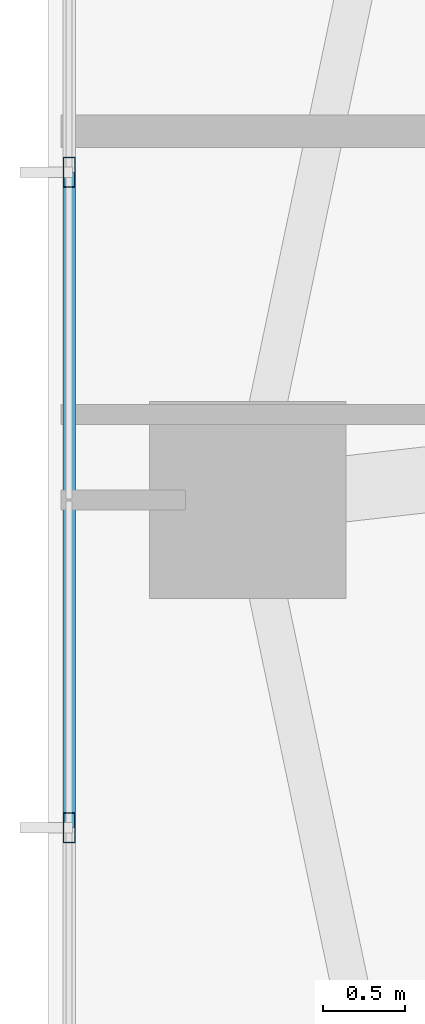
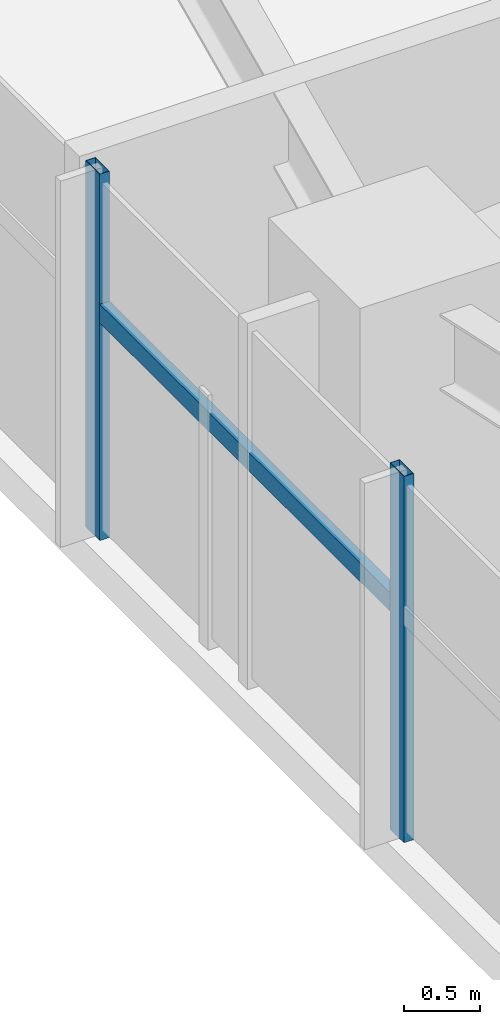
# One storey, part 4 of 25: 3 members, 1 element without a shape of its own.
"""IFC4 building model written with IfcOpenShell, lengths in metres."""

import ifcopenshell
import ifcopenshell.guid

model = None  # the IFC model being written
_history = None  # IfcOwnerHistory: only IFC2X3 demands one
_inside = {}  # id of a spatial element -> (the spatial element, [elements in it])
_under = {}  # id of a project, library or spatial element -> (it, [spatial elements below it])
_declared = {}  # id of a project -> (the project, [libraries it declares])
_typed = {}  # id of a type object -> (the type object, [elements of that type])
_made_of = {}  # id of a material, layer set ... -> (it, [elements and type objects made of it])


def new_model(schema):
    """Start an empty IFC model of exactly this schema.

    Asked for "IFC4X3", IfcOpenShell would pick the latest addendum, in which some entities
    have other attributes; the version numbers below select the first issue.
    IFC2X3 requires an IfcOwnerHistory on every rooted entity: one is made here for all.
    """
    global model, _history
    if schema == "IFC4X3":
        model = ifcopenshell.file(schema_version=(4, 3, 0, 0))
    else:
        model = ifcopenshell.file(schema=schema)
    _inside.clear()
    _under.clear()
    _declared.clear()
    _typed.clear()
    _made_of.clear()
    _history = None
    if model.schema == "IFC2X3":
        org = make("IfcOrganization", Name="unknown")
        user = make(
            "IfcPersonAndOrganization",
            ThePerson=make("IfcPerson", FamilyName="unknown"),
            TheOrganization=org,
        )
        app = make(
            "IfcApplication",
            ApplicationDeveloper=org,
            Version="unknown",
            ApplicationFullName="unknown",
            ApplicationIdentifier="unknown",
        )
        _history = make(
            "IfcOwnerHistory",
            OwningUser=user,
            OwningApplication=app,
            ChangeAction="ADDED",
            CreationDate=0,
        )
    return model


def make(cls, **values):
    """One entity of the class cls with the attributes given. An attribute that is None is left unset."""
    return model.create_entity(
        cls, **{name: value for name, value in values.items() if value is not None}
    )


def rooted(cls, **values):
    """An entity with a GlobalId (a new one), such as an element, a storey or a relation."""
    return make(cls, GlobalId=ifcopenshell.guid.new(), OwnerHistory=_history, **values)


def si_unit(unit_type, name, prefix=None):
    """IfcSIUnit, for example si_unit("LENGTHUNIT", "METRE", prefix="MILLI")."""
    return make("IfcSIUnit", UnitType=unit_type, Prefix=prefix, Name=name)


def assignment(units):
    """IfcUnitAssignment: the units of a project."""
    return None if units is None else make("IfcUnitAssignment", Units=units)


def point(xyz):
    """IfcCartesianPoint."""
    return None if xyz is None else make("IfcCartesianPoint", Coordinates=xyz)


def direction(xyz):
    """IfcDirection."""
    return None if xyz is None else make("IfcDirection", DirectionRatios=xyz)


def frame(location, z_axis=None, x_axis=None):
    """IfcAxis2Placement3D, a coordinate frame: its origin and axes. An axis left out is left unset."""
    return make(
        "IfcAxis2Placement3D",
        Location=point(location),
        Axis=direction(z_axis),
        RefDirection=direction(x_axis),
    )


def frame_2d(location, x_axis=None):
    """IfcAxis2Placement2D, a coordinate frame in the plane: its origin and x axis."""
    return make(
        "IfcAxis2Placement2D", Location=point(location), RefDirection=direction(x_axis)
    )


def origin():
    """The frame at (0, 0, 0) with its axes left unset."""
    return frame((0.0, 0.0, 0.0))


def origin_2d():
    """The frame at (0, 0) in the plane with its x axis left unset."""
    return frame_2d((0.0, 0.0))


def place(relative_to, where):
    """IfcLocalPlacement: puts the frame where relative to a parent placement (None: the world)."""
    return make(
        "IfcLocalPlacement", PlacementRelTo=relative_to, RelativePlacement=where
    )


def context(
    kind, dimensions, precision=None, world=None, true_north=None, identifier=None
):
    """IfcGeometricRepresentationContext, for example the 3D "Model" context."""
    return make(
        "IfcGeometricRepresentationContext",
        ContextIdentifier=identifier,
        ContextType=kind,
        CoordinateSpaceDimension=dimensions,
        Precision=precision,
        WorldCoordinateSystem=world,
        TrueNorth=true_north,
    )


def subcontext(parent, identifier, kind, view, scale=None):
    """IfcGeometricRepresentationSubContext, for example "Body" below "Model"."""
    return make(
        "IfcGeometricRepresentationSubContext",
        ContextIdentifier=identifier,
        ContextType=kind,
        ParentContext=parent,
        TargetScale=scale,
        TargetView=view,
    )


def project(units=None, contexts=None):
    """IfcProject with its units and contexts."""
    return rooted(
        "IfcProject",
        Name="project",
        RepresentationContexts=contexts,
        UnitsInContext=assignment(units),
    )


def spatial(cls, under=None, at=None, **own):
    """A site, building, storey or space (cls), placed at a placement, below another one or the project."""
    s = rooted(cls, ObjectPlacement=at, **own)
    if under is not None:
        _under.setdefault(under.id(), (under, []))[1].append(s)
    return s


def profile(cls, at=None, kind="AREA", **sizes):
    """A parametric profile (cls). Its sizes go by their IFC names, for example OverallWidth=200.0."""
    return make(cls, ProfileType=kind, Position=at, **sizes)


def hollow_rectangle(**sizes):
    """IfcRectangleHollowProfileDef."""
    return profile("IfcRectangleHollowProfileDef", **sizes)


def extrude(swept, where, along, depth):
    """IfcExtrudedAreaSolid: the profile swept, set in the frame where, extruded along a direction by depth."""
    return make(
        "IfcExtrudedAreaSolid",
        SweptArea=swept,
        Position=where,
        ExtrudedDirection=direction(along),
        Depth=depth,
    )


def shape(context_of_items, identifier, shape_type, items):
    """IfcShapeRepresentation: the items that make up one representation, for example the "Body"."""
    return make(
        "IfcShapeRepresentation",
        ContextOfItems=context_of_items,
        RepresentationIdentifier=identifier,
        RepresentationType=shape_type,
        Items=items,
    )


def source(mapping_origin, context_of_items, identifier, shape_type, items):
    """IfcRepresentationMap: a shape defined once, which mapped items show again and again."""
    return make(
        "IfcRepresentationMap",
        MappingOrigin=mapping_origin,
        MappedRepresentation=shape(context_of_items, identifier, shape_type, items),
    )


def transform(
    local_origin,
    x_axis=None,
    y_axis=None,
    z_axis=None,
    scale=None,
    scale2=None,
    scale3=None,
    uniform=True,
):
    """IfcCartesianTransformationOperator3D, or its non-uniform kind. x_axis, y_axis, z_axis: its Axis1, 2, 3."""
    if uniform:
        return make(
            "IfcCartesianTransformationOperator3D",
            Axis1=direction(x_axis),
            Axis2=direction(y_axis),
            LocalOrigin=point(local_origin),
            Scale=scale,
            Axis3=direction(z_axis),
        )
    return make(
        "IfcCartesianTransformationOperator3DnonUniform",
        Axis1=direction(x_axis),
        Axis2=direction(y_axis),
        LocalOrigin=point(local_origin),
        Scale=scale,
        Axis3=direction(z_axis),
        Scale2=scale2,
        Scale3=scale3,
    )


def mapped(mapping_source, mapping_target):
    """IfcMappedItem: shows the shape of a source again, moved by a transform."""
    return make(
        "IfcMappedItem", MappingSource=mapping_source, MappingTarget=mapping_target
    )


def material(Name=None, Category=None):
    """IfcMaterial."""
    return make("IfcMaterial", Name=Name, Category=Category)


def material_profile(
    of_material, cross_section, Name=None, Category=None, Priority=None
):
    """IfcMaterialProfile: a cross section and its material."""
    return make(
        "IfcMaterialProfile",
        Name=Name,
        Material=of_material,
        Profile=cross_section,
        Priority=Priority,
        Category=Category,
    )


def profile_set(profiles, Name=None, composite=None):
    """IfcMaterialProfileSet."""
    return make(
        "IfcMaterialProfileSet",
        Name=Name,
        MaterialProfiles=profiles,
        CompositeProfile=composite,
    )


def made_of(thing, what):
    """Note that an element or type object is made of a material, layer set ...; save() writes the relation."""
    if what is not None:
        _made_of.setdefault(what.id(), (what, []))[1].append(thing)
    return thing


def type_object(cls, material=None, **own):
    """A type object (cls), such as IfcWallType, which elements share."""
    return made_of(rooted(cls, **own), material)


def type_shapes(of_type, sources):
    """Give a type object the sources (RepresentationMaps) that its elements show as mapped items."""
    of_type.RepresentationMaps = sources


def element(
    cls,
    number,
    at=None,
    inside=None,
    cuts=None,
    type_object=None,
    material=None,
    context=None,
    identifier="Body",
    shape_type=None,
    held_by="IfcProductDefinitionShape",
    body=None,
    shapes=None,
    **own,
):
    """One element of the class cls, such as IfcWall. Its Tag is "e" and its number.

    at: its placement. inside: the storey or other place that contains it. cuts: it is an
    opening in that element (IfcRelVoidsElement). A single representation is given by context,
    identifier, shape_type and body (its items); several are given by shapes. held_by: the class
    of the entity that holds the representations. save() writes the other relations.
    """
    e = rooted(cls, Tag="e%d" % number, ObjectPlacement=at, **own)
    if body is not None:
        shapes = [shape(context, identifier, shape_type, body)]
    if shapes is not None:
        e.Representation = make(held_by, Representations=shapes)
    if inside is not None:
        _inside.setdefault(inside.id(), (inside, []))[1].append(e)
    if cuts is not None:
        rooted(
            "IfcRelVoidsElement", RelatingBuildingElement=cuts, RelatedOpeningElement=e
        )
    if type_object is not None:
        _typed.setdefault(type_object.id(), (type_object, []))[1].append(e)
    return made_of(e, material)


def aggregate(whole, parts):
    """IfcRelAggregates: a whole, such as a stair, and the parts it consists of."""
    return rooted("IfcRelAggregates", RelatingObject=whole, RelatedObjects=parts)


def save(model, path):
    """Write the relations noted so far, then the file.

    IfcRelAggregates (storeys below a building ...), IfcRelContainedInSpatialStructure (elements
    in a storey), IfcRelDefinesByType, IfcRelAssociatesMaterial and IfcRelDeclares: one each for
    every whole, place, type object, material and project.
    """
    for whole, parts in _under.values():
        aggregate(whole, parts)
    for where, things in _inside.values():
        rooted(
            "IfcRelContainedInSpatialStructure",
            RelatedElements=things,
            RelatingStructure=where,
        )
    for kind, things in _typed.values():
        rooted("IfcRelDefinesByType", RelatedObjects=things, RelatingType=kind)
    for what, things in _made_of.values():
        rooted("IfcRelAssociatesMaterial", RelatedObjects=things, RelatingMaterial=what)
    for by, libraries in _declared.values():
        rooted("IfcRelDeclares", RelatingContext=by, RelatedDefinitions=libraries)
    model.write(path)


model = new_model("IFC4")

# Units and contexts
model_context = context("Model", 3, precision=1e-05, world=origin(), true_north=direction((0.0, 1.0)))
body_context = subcontext(model_context, "Body", "Model", "MODEL_VIEW")
ifc_project = project(units=[si_unit("LENGTHUNIT", "METRE"), si_unit("AREAUNIT", "SQUARE_METRE"), si_unit("VOLUMEUNIT", "CUBIC_METRE"), si_unit("PLANEANGLEUNIT", "RADIAN"), si_unit("MASSUNIT", "GRAM", prefix="KILO")], contexts=[model_context])

# Site, building, storey
site_placement = place(None, origin())
site = spatial("IfcSite", under=ifc_project, at=site_placement, CompositionType="ELEMENT")
building_placement = place(site_placement, origin())
building = spatial("IfcBuilding", under=site, at=building_placement, Name="Astriad Promenade Condominiums", CompositionType="ELEMENT")
storey_placement = place(building_placement, frame((0.0, 0.0, 39.0)))
storey = spatial("IfcBuildingStorey", under=building, at=storey_placement, Name="L10", CompositionType="ELEMENT", Elevation=39.0)

# Curtain wall, members
ifc_material_1 = material(Name="Anodised aluminium Black Dark Glass Unitised", Category="aluminium")
curtain_wall_type = type_object("IfcCurtainWallType", Name="CW-B1-DARK", PredefinedType="USERDEFINED", material=ifc_material_1)
curtain_wall_placement = place(storey_placement, origin())
curtain_wall = element("IfcCurtainWall", 1, at=curtain_wall_placement, inside=storey, type_object=curtain_wall_type, Name="CW-L10-W", ObjectType="UNITISED_CURTAIN_WALL", PredefinedType="USERDEFINED")
ifc_material_2 = material(Name="Anodised aluminium 6063-T6 Black", Category="aluminium")
ifc_material_profile_1 = material_profile(ifc_material_2, hollow_rectangle(XDim=0.074951171875, YDim=0.18505859375, WallThickness=0.00439453125, at=origin_2d()), Name="ALU-MUL-75X185")
ifc_profile_set_1 = profile_set([ifc_material_profile_1], Name="Anodised aluminium 6063-T6 Black")
member_type_1 = type_object("IfcMemberType", Name="MUL-ALU-MUL-75X185", PredefinedType="MULLION", material=ifc_profile_set_1)
shared_shape_1 = source(origin(), body_context, "Body", "SweptSolid", [
    extrude(hollow_rectangle(XDim=0.074951171875, YDim=0.18505859375, WallThickness=0.00439453125, at=origin_2d()), origin(), (0.0, 0.0, 1.0), 2.93994140625),
])
type_shapes(member_type_1, [shared_shape_1])
member_1_placement = place(storey_placement, frame((5.929931640625, 13.199951171875, 0.0), z_axis=(0.0, 0.0, 1.0), x_axis=(1.0, 0.0, 0.0)))
member_1 = element("IfcMember", 2, at=member_1_placement, type_object=member_type_1, Name="CW-L10-W-MUL-02", PredefinedType="MULLION", context=body_context, shape_type="MappedRepresentation", body=[
    mapped(shared_shape_1, transform((0.0, 0.0, 0.0), scale=1.0)),
])
member_2_placement = place(storey_placement, frame((5.929931640625, 17.199951171875, 0.0), z_axis=(0.0, 0.0, 1.0), x_axis=(1.0, 0.0, 0.0)))
member_2 = element("IfcMember", 3, at=member_2_placement, type_object=member_type_1, Name="CW-L10-W-MUL-03", PredefinedType="MULLION", context=body_context, shape_type="MappedRepresentation", body=[
    mapped(shared_shape_1, transform((0.0, 0.0, 0.0), scale=1.0)),
])
ifc_material_profile_2 = material_profile(ifc_material_2, hollow_rectangle(XDim=0.074951171875, YDim=0.14990234375, WallThickness=0.004150390625, at=origin_2d()), Name="ALU-TRN-75X150")
ifc_profile_set_2 = profile_set([ifc_material_profile_2], Name="Anodised aluminium 6063-T6 Black")
member_type_2 = type_object("IfcMemberType", Name="TRN-ALU-TRN-75X150", PredefinedType="USERDEFINED", material=ifc_profile_set_2)
shared_shape_2 = source(origin(), body_context, "Body", "SweptSolid", [
    extrude(hollow_rectangle(XDim=0.074951171875, YDim=0.14990234375, WallThickness=0.004150390625, at=origin_2d()), origin(), (0.0, 0.0, 1.0), 4.0),
])
type_shapes(member_type_2, [shared_shape_2])
member_3_placement = place(storey_placement, frame((5.929931640625, 13.199951171875, 1.82275390625), z_axis=(0.0, 1.0, 0.0), x_axis=(-1.0, 0.0, 0.0)))
member_3 = element("IfcMember", 4, at=member_3_placement, type_object=member_type_2, Name="CW-L10-W-TRN-02-0", ObjectType="TRANSOM", PredefinedType="USERDEFINED", context=body_context, shape_type="MappedRepresentation", body=[
    mapped(shared_shape_2, transform((0.0, 0.0, 0.0), scale=1.0)),
])
aggregate(curtain_wall, [member_1, member_2, member_3])

save(model, "model.ifc")
